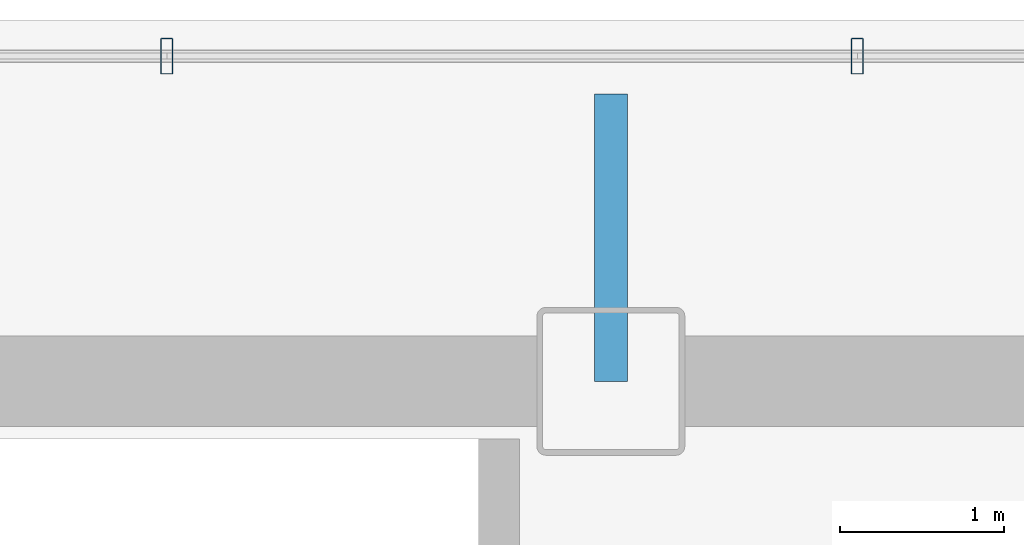
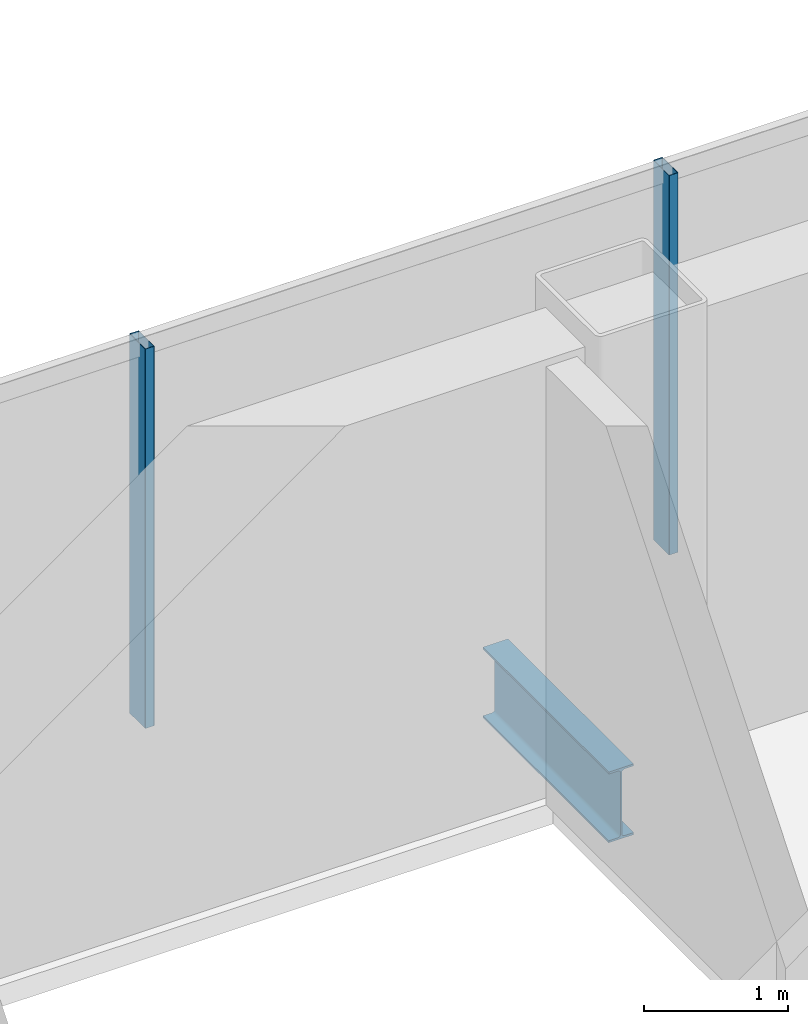
# One storey, part 10 of 22: 2 members, 1 beam, 1 element without a shape of its own.
"""IFC4 building model written with IfcOpenShell, lengths in metres."""

from ifc_helpers import new_model, si_unit, direction, frame, origin, origin_2d, place, context, subcontext, project, spatial, hollow_rectangle, i_section, extrude, material, material_profile, profile_set, type_object, element, aggregate, save


model = new_model("IFC4")

# Units and contexts
model_context = context("Model", 3, precision=1e-05, world=origin(), true_north=direction((0.0, 1.0)))
body_context = subcontext(model_context, "Body", "Model", "MODEL_VIEW")
ifc_project = project(units=[si_unit("LENGTHUNIT", "METRE"), si_unit("AREAUNIT", "SQUARE_METRE"), si_unit("VOLUMEUNIT", "CUBIC_METRE"), si_unit("PLANEANGLEUNIT", "RADIAN"), si_unit("MASSUNIT", "GRAM", prefix="KILO")], contexts=[model_context])

# Site, building, storey
site_placement = place(None, origin())
site = spatial("IfcSite", under=ifc_project, at=site_placement, CompositionType="ELEMENT")
building_placement = place(site_placement, origin())
building = spatial("IfcBuilding", under=site, at=building_placement, Name="Noeulbin Bourse Tower", CompositionType="ELEMENT")
storey_placement = place(building_placement, frame((0.0, 0.0, 130.5)))
storey = spatial("IfcBuildingStorey", under=building, at=storey_placement, Name="L32", CompositionType="ELEMENT", Elevation=130.5)

# Beam
ifc_material_1 = material(Name="Steel S355", Category="steel")
ifc_material_profile_1 = material_profile(ifc_material_1, i_section(OverallWidth=0.199951171875, OverallDepth=0.60009765625, WebThickness=0.010986328125, FlangeThickness=0.01708984375, FilletRadius=0.02197265625, at=origin_2d()), Name="H-600x200x11x17", Category="LoadBearing")
ifc_profile_set_1 = profile_set([ifc_material_profile_1], Name="Steel S355")
beam_type = type_object("IfcBeamType", Name="BM-GRD-600", PredefinedType="USERDEFINED", material=ifc_profile_set_1)
beam_placement = place(storey_placement, frame((24.0, 38.300048828125, -0.47998046875), z_axis=(0.0, 1.0, 0.0), x_axis=(-1.0, 0.0, 0.0)))
element("IfcBeam", 1, at=beam_placement, inside=storey, type_object=beam_type, Name="Tower Primary Girder NS L32-2.4", ObjectType="GIRDER", PredefinedType="USERDEFINED", context=body_context, shape_type="SweptSolid", body=[
    extrude(i_section(OverallWidth=0.199951171875, OverallDepth=0.60009765625, WebThickness=0.010986328125, FlangeThickness=0.01708984375, FilletRadius=0.02197265625, at=origin_2d()), origin(), (0.0, 0.0, 1.0), 1.75),
])

# Curtain wall, members
ifc_material_2 = material(Name="Dark Tinted Triple Glazing", Category="glass")
curtain_wall_type = type_object("IfcCurtainWallType", Name="CW-SYS-3", PredefinedType="NOTDEFINED", material=ifc_material_2)
curtain_wall_placement = place(storey_placement, origin())
curtain_wall = element("IfcCurtainWall", 2, at=curtain_wall_placement, inside=storey, type_object=curtain_wall_type, Name="Unitised Curtain Wall CW-L32-N", PredefinedType="NOTDEFINED")
ifc_material_3 = material(Name="Anodised Aluminium 6063-T6", Category="aluminium")
ifc_material_profile_2 = material_profile(ifc_material_3, hollow_rectangle(XDim=0.074951171875, YDim=0.219970703125, WallThickness=0.0048828125, InnerFilletRadius=0.00244140625, OuterFilletRadius=0.0048828125, at=origin_2d()), Name="ALU-MULL-75x220x5", Category="LoadBearing")
ifc_profile_set_2 = profile_set([ifc_material_profile_2], Name="Anodised Aluminium 6063-T6")
member_type = type_object("IfcMemberType", Name="CW-SYS-3-MUL", PredefinedType="MULLION", material=ifc_profile_set_2)
member_1_placement = place(storey_placement, frame((21.2958984375, 40.280029296875, -0.02001953125), z_axis=(0.0, 0.0, 1.0), x_axis=(1.0, 0.0, 0.0)))
member_1 = element("IfcMember", 3, at=member_1_placement, type_object=member_type, Name="Curtain Wall Mullion CW-L32-N-M04", PredefinedType="MULLION", context=body_context, shape_type="SweptSolid", body=[
    extrude(hollow_rectangle(XDim=0.074951171875, YDim=0.219970703125, WallThickness=0.0048828125, InnerFilletRadius=0.00244140625, OuterFilletRadius=0.0048828125, at=origin_2d()), origin(), (0.0, 0.0, 1.0), 3.219970703125),
])
member_2_placement = place(storey_placement, frame((25.5, 40.280029296875, -0.02001953125), z_axis=(0.0, 0.0, 1.0), x_axis=(1.0, 0.0, 0.0)))
member_2 = element("IfcMember", 4, at=member_2_placement, type_object=member_type, Name="Curtain Wall Mullion CW-L32-N-M05", PredefinedType="MULLION", context=body_context, shape_type="SweptSolid", body=[
    extrude(hollow_rectangle(XDim=0.074951171875, YDim=0.219970703125, WallThickness=0.0048828125, InnerFilletRadius=0.00244140625, OuterFilletRadius=0.0048828125, at=origin_2d()), origin(), (0.0, 0.0, 1.0), 3.219970703125),
])
aggregate(curtain_wall, [member_1, member_2])

save(model, "model.ifc")
